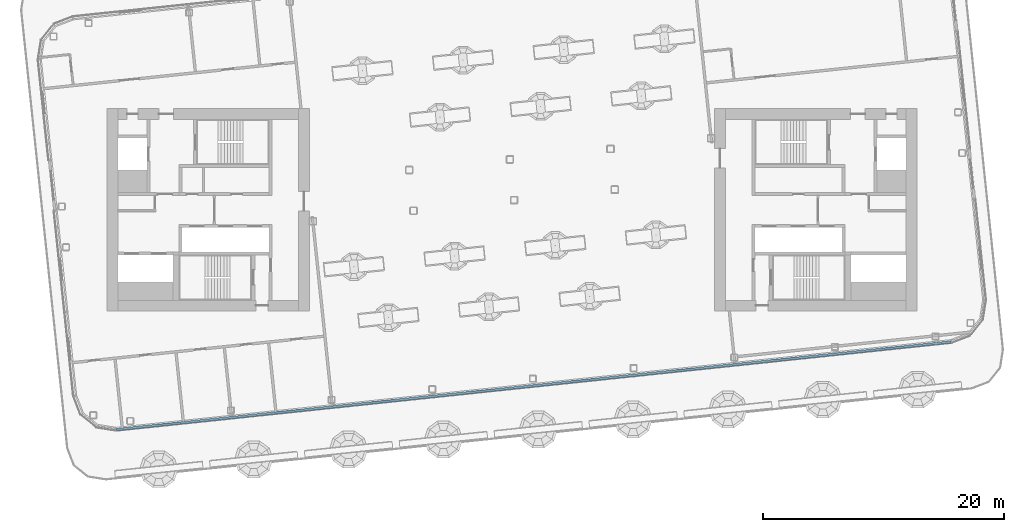
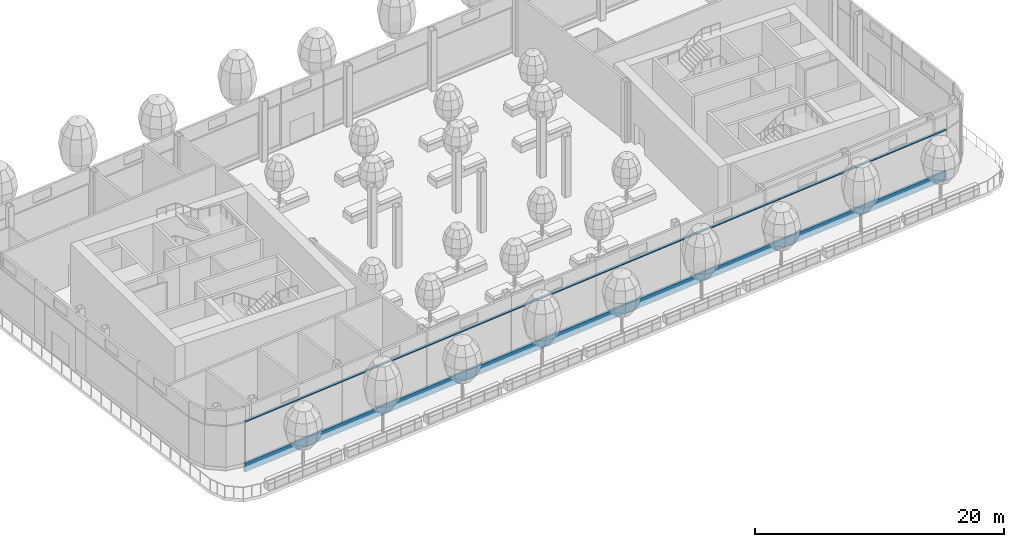
# One storey, part 5 of 42: 2 members, 1 element without a shape of its own.
"""IFC4 building model written with IfcOpenShell, lengths in metres."""

from ifc_helpers import new_model, si_unit, direction, frame, origin, origin_2d, place, context, subcontext, project, spatial, rectangle, extrude, material, layer, layer_set, material_profile, profile_set, type_object, element, aggregate, save


model = new_model("IFC4")

# Units and contexts
model_context = context("Model", 3, precision=1e-05, world=origin(), true_north=direction((0.0, 1.0)))
body_context = subcontext(model_context, "Body", "Model", "MODEL_VIEW")
ifc_project = project(units=[si_unit("LENGTHUNIT", "METRE"), si_unit("AREAUNIT", "SQUARE_METRE"), si_unit("VOLUMEUNIT", "CUBIC_METRE"), si_unit("PLANEANGLEUNIT", "RADIAN"), si_unit("MASSUNIT", "GRAM", prefix="KILO")], contexts=[model_context])

# Site, building, storey
site_placement = place(None, origin())
site = spatial("IfcSite", under=ifc_project, at=site_placement, CompositionType="ELEMENT")
building_placement = place(site_placement, origin())
building = spatial("IfcBuilding", under=site, at=building_placement, Name="Hakoniwa Tower and Hamabe Station Hall", CompositionType="ELEMENT")
storey_placement = place(building_placement, frame((0.0, 0.0, 232.60009765625)))
storey = spatial("IfcBuildingStorey", under=building, at=storey_placement, Name="L66", CompositionType="ELEMENT", Elevation=232.60009765625)

# Curtain wall, members
ifc_material_1 = material(Name="Dark low-e laminated glass", Category="glass")
ifc_layer = layer(ifc_material_1, 0.199951171875)
ifc_layer_set = layer_set([ifc_layer], Name="CW-2 SKY GARDEN")
curtain_wall_type = type_object("IfcCurtainWallType", Name="CW-2 SKY GARDEN", PredefinedType="NOTDEFINED", material=ifc_layer_set)
curtain_wall_placement = place(storey_placement, origin())
curtain_wall = element("IfcCurtainWall", 1, at=curtain_wall_placement, inside=storey, type_object=curtain_wall_type, Name="CW-2 curtain wall", PredefinedType="NOTDEFINED")
ifc_material_2 = material(Name="Aluminium 6063-T5 black anodised", Category="aluminium")
ifc_material_profile_1 = material_profile(ifc_material_2, rectangle(XDim=0.199951171875, YDim=0.1201171875, at=origin_2d()), Name="CW MID TRANSOM 120X200")
ifc_profile_set_1 = profile_set([ifc_material_profile_1], Name="Aluminium 6063-T5 black anodised")
member_type_1 = type_object("IfcMemberType", Name="CW MID TRANSOM 120X200", PredefinedType="USERDEFINED", material=ifc_profile_set_1)
member_1_placement = place(storey_placement, frame((-32.850830078125, -18.24755859375, 4.389892578125), z_axis=(0.994521894037, 0.10452847593, 0.0), x_axis=(-0.10452847593, 0.994521894037, 0.0)))
member_1 = element("IfcMember", 2, at=member_1_placement, type_object=member_type_1, Name="CW-2 transom", ObjectType="TRANSOM", PredefinedType="USERDEFINED", context=body_context, shape_type="SweptSolid", body=[
    extrude(rectangle(XDim=0.199951171875, YDim=0.1201171875, at=origin_2d()), origin(), (0.0, 0.0, 1.0), 69.678955078125),
])
ifc_material_3 = material(Name="Aluminium 6063-T5 black anodised", Category="aluminium")
ifc_material_profile_2 = material_profile(ifc_material_3, rectangle(XDim=0.199951171875, YDim=0.89990234375, at=origin_2d()), Name="CW SLAB-EDGE BAND 900X200")
ifc_profile_set_2 = profile_set([ifc_material_profile_2], Name="Aluminium 6063-T5 black anodised")
member_type_2 = type_object("IfcMemberType", Name="CW SLAB-EDGE BAND 900X200", PredefinedType="USERDEFINED", material=ifc_profile_set_2)
member_2_placement = place(storey_placement, frame((-32.850830078125, -18.24755859375, -0.10009765625), z_axis=(0.994521894037, 0.10452847593, 0.0), x_axis=(-0.10452847593, 0.994521894037, 0.0)))
member_2 = element("IfcMember", 3, at=member_2_placement, type_object=member_type_2, Name="CW-2 transom", ObjectType="TRANSOM", PredefinedType="USERDEFINED", context=body_context, shape_type="SweptSolid", body=[
    extrude(rectangle(XDim=0.199951171875, YDim=0.89990234375, at=origin_2d()), origin(), (0.0, 0.0, 1.0), 69.678955078125),
])
aggregate(curtain_wall, [member_2, member_1])

save(model, "model.ifc")
